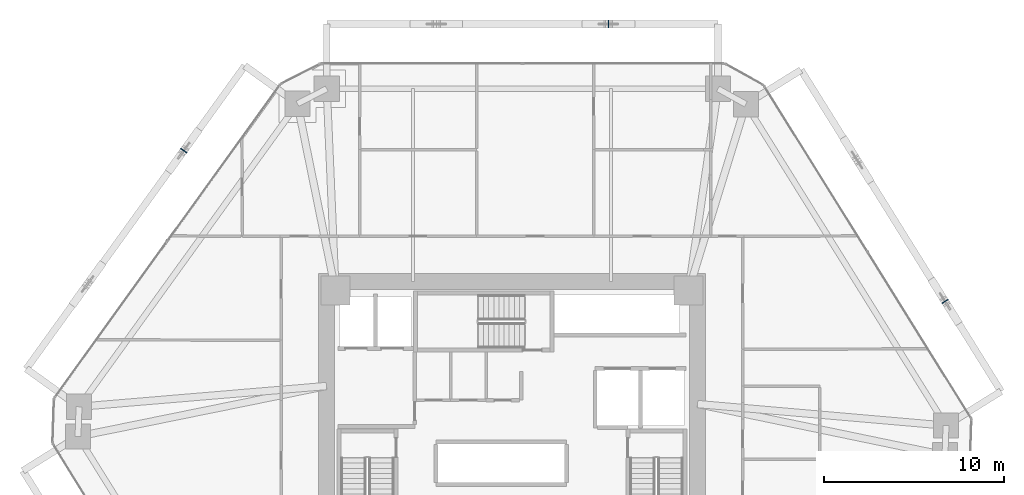
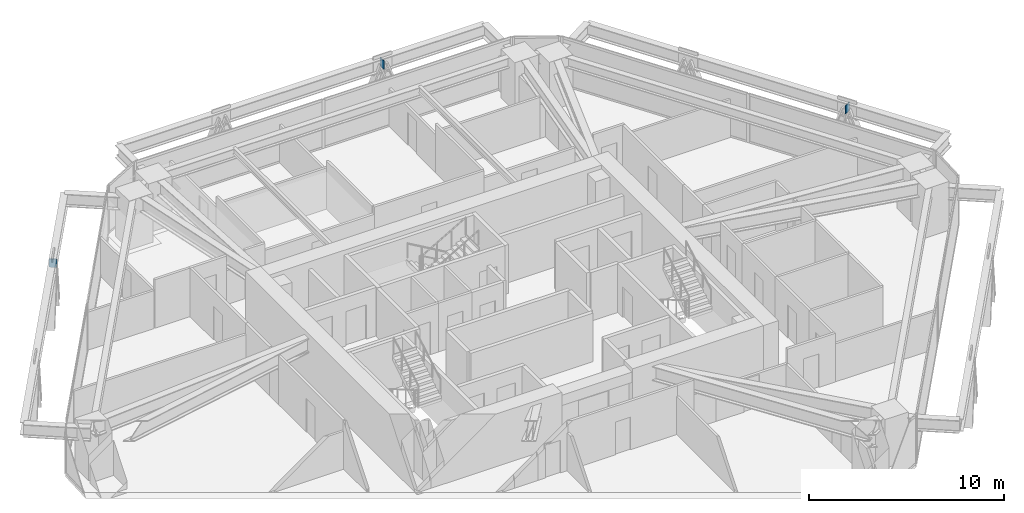
# One storey, part 12 of 17: 3 plates.
"""IFC4 building model written with IfcOpenShell, lengths in metres."""

from ifc_helpers import new_model, si_unit, direction, frame, origin, origin_2d, place, context, subcontext, project, spatial, rectangle, extrude, source, transform, mapped, material, layer, layer_set, type_object, type_shapes, element, save


model = new_model("IFC4")

# Units and contexts
model_context = context("Model", 3, precision=1e-05, world=origin(), true_north=direction((0.0, 1.0)))
body_context = subcontext(model_context, "Body", "Model", "MODEL_VIEW")
ifc_project = project(units=[si_unit("LENGTHUNIT", "METRE"), si_unit("AREAUNIT", "SQUARE_METRE"), si_unit("VOLUMEUNIT", "CUBIC_METRE"), si_unit("PLANEANGLEUNIT", "RADIAN"), si_unit("MASSUNIT", "GRAM", prefix="KILO")], contexts=[model_context])

# Site, building, storey
site_placement = place(None, origin())
site = spatial("IfcSite", under=ifc_project, at=site_placement, CompositionType="ELEMENT")
building_placement = place(site_placement, origin())
building = spatial("IfcBuilding", under=site, at=building_placement, Name="Durnholm Broadcast Tower", CompositionType="ELEMENT")
storey_placement = place(building_placement, frame((0.0, 0.0, 39.0)))
storey = spatial("IfcBuildingStorey", under=building, at=storey_placement, Name="L08", CompositionType="ELEMENT", Elevation=39.0)

# Plates
ifc_material = material(Name="Steel ASTM A572 Grade 50", Category="steel")
ifc_layer = layer(ifc_material, 0.044921875)
ifc_layer_set = layer_set([ifc_layer], Name="Steel ASTM A572 Grade 50")
plate_type = type_object("IfcPlateType", Name="PLT-KN-STIF", PredefinedType="SHEET", material=ifc_layer_set)
shared_shape = source(origin(), body_context, "Body", "SweptSolid", [
    extrude(rectangle(XDim=0.044921875, YDim=0.419921875, at=origin_2d()), origin(), (0.0, 0.0, 1.0), 0.52001953125),
])
type_shapes(plate_type, [shared_shape])
for number, where, z_axis, x_axis, name in (
    (1, (24.036376953125, 7.197509765625, 2.048583984375), (0.0, 0.0, 1.0), (-0.528586500185, 0.848879444811, 0.0), "L08 welded diagrid node stiffener plate F3"),
    (2, (5.351318359375, 22.60009765625, 2.048583984375), (0.0, 0.0, 1.0), (-1.0, 0.0, 0.0), "L08 welded diagrid node stiffener plate F4"),
    (3, (-18.223388671875, 15.56396484375, 2.048583984375), (0.0, 0.0, 1.0), (-0.584816108738, -0.81116590101, 0.0), "L08 welded diagrid node stiffener plate F5"),
):
    element("IfcPlate", number, at=place(storey_placement, frame(where, z_axis=z_axis, x_axis=x_axis)), inside=storey, type_object=plate_type, Name=name, PredefinedType="SHEET", context=body_context, shape_type="MappedRepresentation", body=[
        mapped(shared_shape, transform((0.0, 0.0, 0.0), x_axis=(1.0, 0.0, 0.0), y_axis=(0.0, 1.0, 0.0), z_axis=(0.0, 0.0, 1.0), scale=1.0)),
    ])

save(model, "model.ifc")
